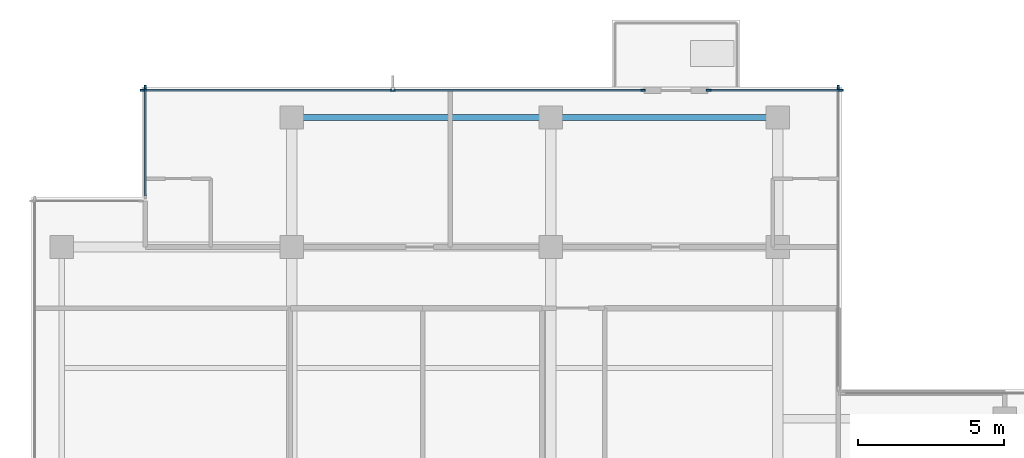
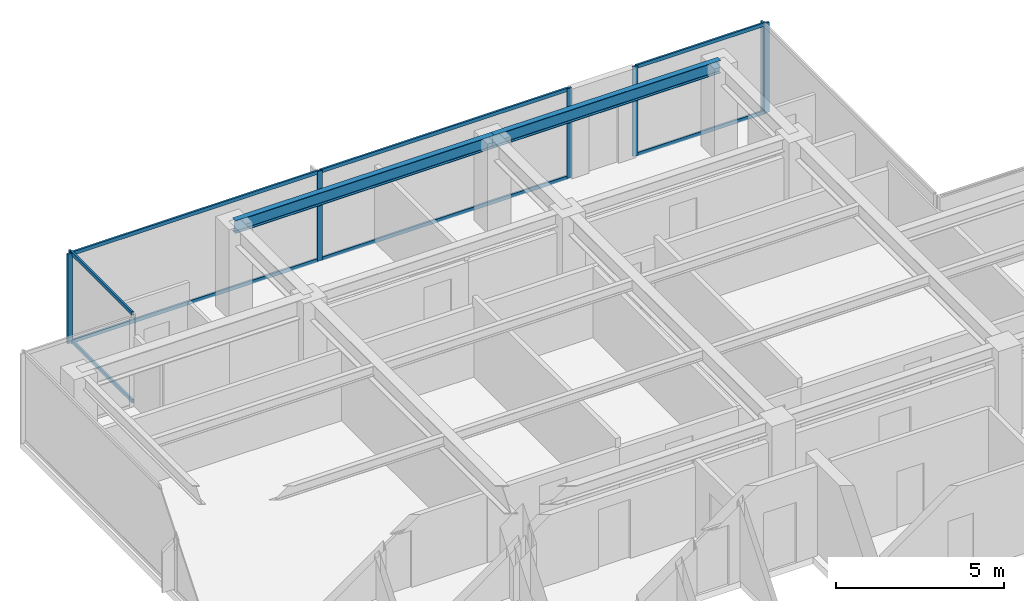
# One storey, part 4 of 11: 15 members, 2 beams, 4 elements without a shape of their own.
"""IFC4 building model written with IfcOpenShell, lengths in metres."""

from ifc_helpers import new_model, si_unit, direction, frame, origin, origin_2d, place, context, subcontext, project, spatial, rectangle, i_section, extrude, material, layer, layer_set, material_profile, profile_set, type_object, element, aggregate, save


model = new_model("IFC4")

# Units and contexts
model_context = context("Model", 3, precision=1e-05, world=origin(), true_north=direction((0.0, 1.0)))
body_context = subcontext(model_context, "Body", "Model", "MODEL_VIEW")
ifc_project = project(units=[si_unit("LENGTHUNIT", "METRE"), si_unit("AREAUNIT", "SQUARE_METRE"), si_unit("VOLUMEUNIT", "CUBIC_METRE"), si_unit("PLANEANGLEUNIT", "RADIAN"), si_unit("MASSUNIT", "GRAM", prefix="KILO")], contexts=[model_context])

# Site, building, storey
site_placement = place(None, origin())
site = spatial("IfcSite", under=ifc_project, at=site_placement, CompositionType="ELEMENT")
building_placement = place(site_placement, origin())
building = spatial("IfcBuilding", under=site, at=building_placement, Name="Qalmaran Belvedere Hotel", CompositionType="ELEMENT")
storey_placement = place(building_placement, frame((0.0, 0.0, 277.39990234375)))
storey = spatial("IfcBuildingStorey", under=building, at=storey_placement, Name="L72", CompositionType="ELEMENT", Elevation=277.39990234375)

# Beams
ifc_material_1 = material(Name="Steel S355JR", Category="steel")
ifc_material_profile_1 = material_profile(ifc_material_1, i_section(OverallWidth=0.19189453125, OverallDepth=0.462890625, WebThickness=0.010498046875, FlangeThickness=0.017578125, FilletRadius=0.01611328125, at=origin_2d()), Name="W460X89")
ifc_profile_set_1 = profile_set([ifc_material_profile_1], Name="Steel S355JR")
beam_type = type_object("IfcBeamType", Name="BM-SP2-W460X89", PredefinedType="SPANDREL", material=ifc_profile_set_1)
beam_1_placement = place(storey_placement, frame((20.300048828125, 37.449951171875, 3.028564453125), z_axis=(1.0, 0.0, 0.0), x_axis=(0.0, 1.0, 0.0)))
element("IfcBeam", 1, at=beam_1_placement, inside=storey, type_object=beam_type, Name="L72 Perimeter Spandrel 04", PredefinedType="SPANDREL", context=body_context, shape_type="SweptSolid", body=[
    extrude(i_section(OverallWidth=0.19189453125, OverallDepth=0.462890625, WebThickness=0.010498046875, FlangeThickness=0.017578125, FilletRadius=0.01611328125, at=origin_2d()), origin(), (0.0, 0.0, 1.0), 8.89990234375),
])
beam_2_placement = place(storey_placement, frame((29.199951171875, 37.449951171875, 3.028564453125), z_axis=(1.0, 0.0, 0.0), x_axis=(0.0, 1.0, 0.0)))
element("IfcBeam", 2, at=beam_2_placement, inside=storey, type_object=beam_type, Name="L72 Perimeter Spandrel 05", PredefinedType="SPANDREL", context=body_context, shape_type="SweptSolid", body=[
    extrude(i_section(OverallWidth=0.19189453125, OverallDepth=0.462890625, WebThickness=0.010498046875, FlangeThickness=0.017578125, FilletRadius=0.01611328125, at=origin_2d()), origin(), (0.0, 0.0, 1.0), 7.800048828125),
])

# Curtain wall, member
ifc_material_2 = material(Name="Anodised Bronze Aluminium", Category="aluminium")
ifc_layer = layer(ifc_material_2, 0.18505859375, Name="Anodised Bronze Aluminium")
ifc_layer_set = layer_set([ifc_layer], Name="Anodised Bronze Aluminium")
curtain_wall_type = type_object("IfcCurtainWallType", Name="CW6-TOWER-SKY", PredefinedType="NOTDEFINED", material=ifc_layer_set)
curtain_wall_1_placement = place(storey_placement, origin())
curtain_wall_1 = element("IfcCurtainWall", 3, at=curtain_wall_1_placement, inside=storey, type_object=curtain_wall_type, Name="L72 Curtain Wall CW6", PredefinedType="NOTDEFINED")
ifc_material_profile_2 = material_profile(ifc_material_2, rectangle(XDim=0.06494140625, YDim=0.1650390625, at=origin_2d()), Name="CWM65X165")
ifc_profile_set_2 = profile_set([ifc_material_profile_2], Name="Anodised Bronze Aluminium")
member_type_1 = type_object("IfcMemberType", Name="CWM-65X165", PredefinedType="MULLION", material=ifc_profile_set_2)
member_1_placement = place(storey_placement, frame((39.080078125, 38.467529296875, 0.0), z_axis=(0.0, 0.0, 1.0), x_axis=(-1.0, 0.0, 0.0)))
member_1 = element("IfcMember", 4, at=member_1_placement, type_object=member_type_1, Name="CW6 mullion 2", PredefinedType="MULLION", context=body_context, shape_type="SweptSolid", body=[
    extrude(rectangle(XDim=0.06494140625, YDim=0.1650390625, at=origin_2d()), origin(), (0.0, 0.0, 1.0), 3.260009765625),
])
aggregate(curtain_wall_1, [member_1])

# Curtain wall, members
curtain_wall_2_placement = place(storey_placement, origin())
curtain_wall_2 = element("IfcCurtainWall", 5, at=curtain_wall_2_placement, inside=storey, type_object=curtain_wall_type, Name="L72 Curtain Wall CW6", PredefinedType="NOTDEFINED")
member_2_placement = place(storey_placement, frame((32.367431640625, 38.3798828125, 0.0), z_axis=(0.0, 0.0, 1.0), x_axis=(0.0, -1.0, 0.0)))
member_2 = element("IfcMember", 6, at=member_2_placement, type_object=member_type_1, Name="CW6 mullion 1", PredefinedType="MULLION", context=body_context, shape_type="SweptSolid", body=[
    extrude(rectangle(XDim=0.06494140625, YDim=0.1650390625, at=origin_2d()), origin(), (0.0, 0.0, 1.0), 3.260009765625),
])
member_3_placement = place(storey_placement, frame((23.77490234375, 38.3798828125, 0.0), z_axis=(0.0, 0.0, 1.0), x_axis=(0.0, -1.0, 0.0)))
member_3 = element("IfcMember", 7, at=member_3_placement, type_object=member_type_1, Name="CW6 mullion 2", PredefinedType="MULLION", context=body_context, shape_type="SweptSolid", body=[
    extrude(rectangle(XDim=0.06494140625, YDim=0.1650390625, at=origin_2d()), origin(), (0.0, 0.0, 1.0), 3.260009765625),
])
member_4_placement = place(storey_placement, frame((15.1826171875, 38.3798828125, 0.0), z_axis=(0.0, 0.0, 1.0), x_axis=(0.0, -1.0, 0.0)))
member_4 = element("IfcMember", 8, at=member_4_placement, type_object=member_type_1, Name="CW6 mullion 3", PredefinedType="MULLION", context=body_context, shape_type="SweptSolid", body=[
    extrude(rectangle(XDim=0.06494140625, YDim=0.1650390625, at=origin_2d()), origin(), (0.0, 0.0, 1.0), 3.260009765625),
])

curtain_wall_3_placement = place(storey_placement, origin())
curtain_wall_3 = element("IfcCurtainWall", 9, at=curtain_wall_3_placement, inside=storey, type_object=curtain_wall_type, Name="L72 Curtain Wall CW6", PredefinedType="NOTDEFINED")
member_5_placement = place(storey_placement, frame((39.16748046875, 38.3798828125, 0.0), z_axis=(0.0, 0.0, 1.0), x_axis=(0.0, -1.0, 0.0)))
member_5 = element("IfcMember", 10, at=member_5_placement, type_object=member_type_1, Name="CW6 mullion 1", PredefinedType="MULLION", context=body_context, shape_type="SweptSolid", body=[
    extrude(rectangle(XDim=0.06494140625, YDim=0.1650390625, at=origin_2d()), origin(), (0.0, 0.0, 1.0), 3.260009765625),
])
member_6_placement = place(storey_placement, frame((34.632568359375, 38.3798828125, 0.0), z_axis=(0.0, 0.0, 1.0), x_axis=(0.0, -1.0, 0.0)))
member_6 = element("IfcMember", 11, at=member_6_placement, type_object=member_type_1, Name="CW6 mullion 2", PredefinedType="MULLION", context=body_context, shape_type="SweptSolid", body=[
    extrude(rectangle(XDim=0.06494140625, YDim=0.1650390625, at=origin_2d()), origin(), (0.0, 0.0, 1.0), 3.260009765625),
])

# Curtain wall, member
curtain_wall_4_placement = place(storey_placement, origin())
curtain_wall_4 = element("IfcCurtainWall", 12, at=curtain_wall_4_placement, inside=storey, type_object=curtain_wall_type, Name="L72 Curtain Wall CW6", PredefinedType="NOTDEFINED")
member_7_placement = place(storey_placement, frame((15.27001953125, 38.467529296875, 0.0), z_axis=(0.0, 0.0, 1.0), x_axis=(1.0, 0.0, 0.0)))
member_7 = element("IfcMember", 13, at=member_7_placement, type_object=member_type_1, Name="CW6 mullion 1", PredefinedType="MULLION", context=body_context, shape_type="SweptSolid", body=[
    extrude(rectangle(XDim=0.06494140625, YDim=0.1650390625, at=origin_2d()), origin(), (0.0, 0.0, 1.0), 3.260009765625),
])

# Member
ifc_material_profile_3 = material_profile(ifc_material_2, rectangle(XDim=0.06494140625, YDim=0.1298828125, at=origin_2d()), Name="CWT65X130")
ifc_profile_set_3 = profile_set([ifc_material_profile_3], Name="Anodised Bronze Aluminium")
member_type_2 = type_object("IfcMemberType", Name="CWT-65X130", PredefinedType="USERDEFINED", material=ifc_profile_set_3)
member_8_placement = place(storey_placement, frame((32.3349609375, 38.3798828125, 0.03271484375), z_axis=(-1.0, 0.0, 0.0), x_axis=(0.0, -1.0, 0.0)))
member_8 = element("IfcMember", 14, at=member_8_placement, type_object=member_type_2, Name="CW6 transom 1.1", ObjectType="TRANSOM", PredefinedType="USERDEFINED", context=body_context, shape_type="SweptSolid", body=[
    extrude(rectangle(XDim=0.06494140625, YDim=0.1298828125, at=origin_2d()), origin(), (0.0, 0.0, 1.0), 8.52734375),
])

member_9_placement = place(storey_placement, frame((32.3349609375, 38.3798828125, 3.2275390625), z_axis=(-1.0, 0.0, 0.0), x_axis=(0.0, -1.0, 0.0)))
member_9 = element("IfcMember", 15, at=member_9_placement, type_object=member_type_2, Name="CW6 transom 1.2", ObjectType="TRANSOM", PredefinedType="USERDEFINED", context=body_context, shape_type="SweptSolid", body=[
    extrude(rectangle(XDim=0.06494140625, YDim=0.1298828125, at=origin_2d()), origin(), (0.0, 0.0, 1.0), 8.52734375),
])

member_10_placement = place(storey_placement, frame((23.742431640625, 38.3798828125, 0.03271484375), z_axis=(-1.0, 0.0, 0.0), x_axis=(0.0, -1.0, 0.0)))
member_10 = element("IfcMember", 16, at=member_10_placement, type_object=member_type_2, Name="CW6 transom 2.1", ObjectType="TRANSOM", PredefinedType="USERDEFINED", context=body_context, shape_type="SweptSolid", body=[
    extrude(rectangle(XDim=0.06494140625, YDim=0.1298828125, at=origin_2d()), origin(), (0.0, 0.0, 1.0), 8.52734375),
])

member_11_placement = place(storey_placement, frame((23.742431640625, 38.3798828125, 3.2275390625), z_axis=(-1.0, 0.0, 0.0), x_axis=(0.0, -1.0, 0.0)))
member_11 = element("IfcMember", 17, at=member_11_placement, type_object=member_type_2, Name="CW6 transom 2.2", ObjectType="TRANSOM", PredefinedType="USERDEFINED", context=body_context, shape_type="SweptSolid", body=[
    extrude(rectangle(XDim=0.06494140625, YDim=0.1298828125, at=origin_2d()), origin(), (0.0, 0.0, 1.0), 8.52734375),
])

aggregate(curtain_wall_2, [member_2, member_3, member_4, member_8, member_9, member_10, member_11])

member_12_placement = place(storey_placement, frame((39.135009765625, 38.3798828125, 0.03271484375), z_axis=(-1.0, 0.0, 0.0), x_axis=(0.0, -1.0, 0.0)))
member_12 = element("IfcMember", 18, at=member_12_placement, type_object=member_type_2, Name="CW6 transom 1.1", ObjectType="TRANSOM", PredefinedType="USERDEFINED", context=body_context, shape_type="SweptSolid", body=[
    extrude(rectangle(XDim=0.06494140625, YDim=0.1298828125, at=origin_2d()), origin(), (0.0, 0.0, 1.0), 4.469970703125),
])

member_13_placement = place(storey_placement, frame((39.135009765625, 38.3798828125, 3.2275390625), z_axis=(-1.0, 0.0, 0.0), x_axis=(0.0, -1.0, 0.0)))
member_13 = element("IfcMember", 19, at=member_13_placement, type_object=member_type_2, Name="CW6 transom 1.2", ObjectType="TRANSOM", PredefinedType="USERDEFINED", context=body_context, shape_type="SweptSolid", body=[
    extrude(rectangle(XDim=0.06494140625, YDim=0.1298828125, at=origin_2d()), origin(), (0.0, 0.0, 1.0), 4.469970703125),
])

aggregate(curtain_wall_3, [member_5, member_6, member_12, member_13])

member_14_placement = place(storey_placement, frame((15.27001953125, 38.43505859375, 0.03271484375), z_axis=(0.0, -1.0, 0.0), x_axis=(1.0, 0.0, 0.0)))
member_14 = element("IfcMember", 20, at=member_14_placement, type_object=member_type_2, Name="CW6 transom 1.1", ObjectType="TRANSOM", PredefinedType="USERDEFINED", context=body_context, shape_type="SweptSolid", body=[
    extrude(rectangle(XDim=0.06494140625, YDim=0.1298828125, at=origin_2d()), origin(), (0.0, 0.0, 1.0), 3.670166015625),
])

member_15_placement = place(storey_placement, frame((15.27001953125, 38.43505859375, 3.2275390625), z_axis=(0.0, -1.0, 0.0), x_axis=(1.0, 0.0, 0.0)))
member_15 = element("IfcMember", 21, at=member_15_placement, type_object=member_type_2, Name="CW6 transom 1.2", ObjectType="TRANSOM", PredefinedType="USERDEFINED", context=body_context, shape_type="SweptSolid", body=[
    extrude(rectangle(XDim=0.06494140625, YDim=0.1298828125, at=origin_2d()), origin(), (0.0, 0.0, 1.0), 3.670166015625),
])

aggregate(curtain_wall_4, [member_7, member_14, member_15])

save(model, "model.ifc")
